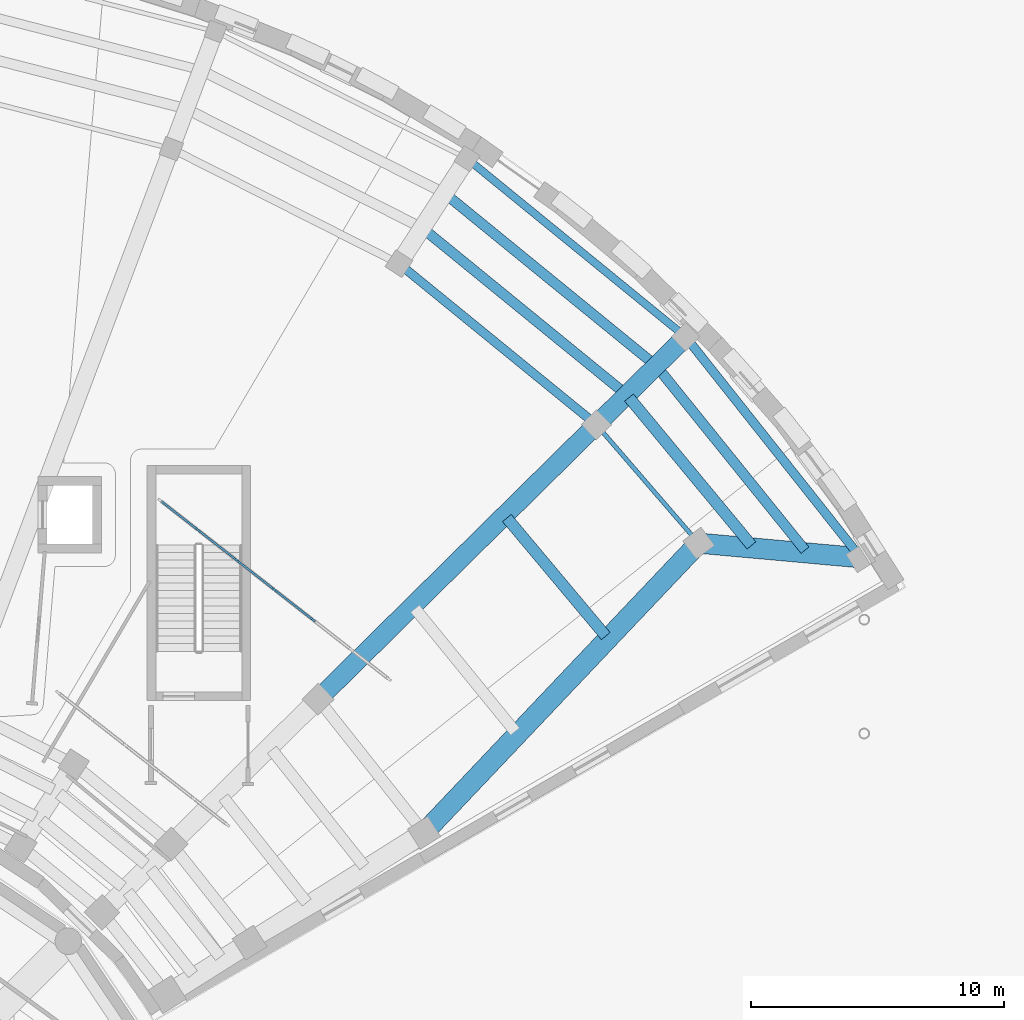
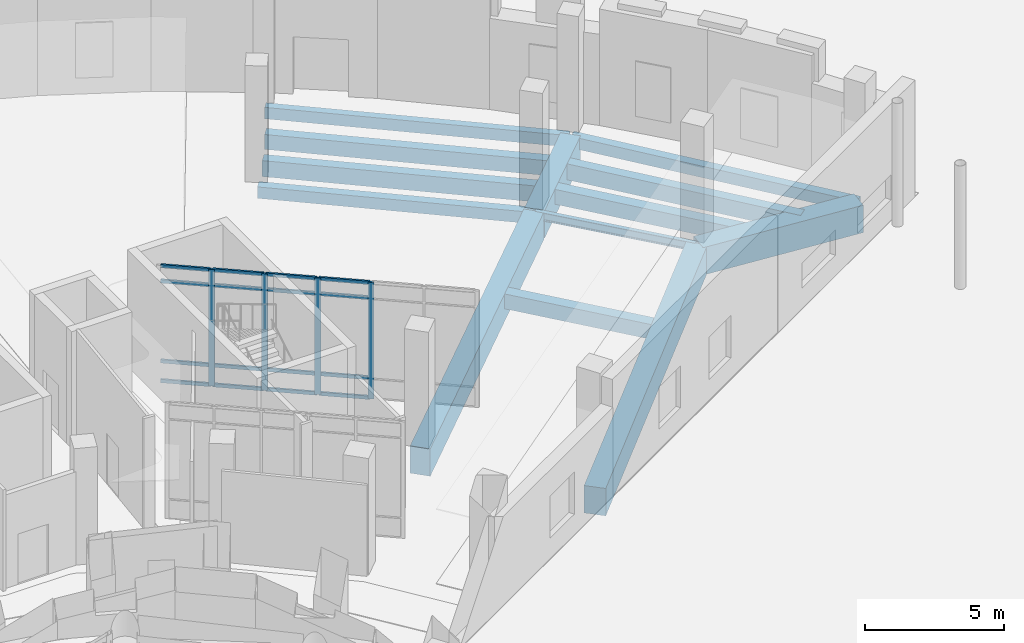
# One storey, part 28 of 74: 20 members, 13 beams, 1 element without a shape of its own.
"""IFC4 building model written with IfcOpenShell, lengths in metres."""

from ifc_helpers import new_model, si_unit, direction, frame, origin, origin_2d, place, context, subcontext, project, spatial, rectangle, i_section, extrude, material, material_profile, profile_set, type_object, element, aggregate, save


model = new_model("IFC4")

# Units and contexts
model_context = context("Model", 3, precision=1e-05, world=origin(), true_north=direction((0.0, 1.0)))
body_context = subcontext(model_context, "Body", "Model", "MODEL_VIEW")
ifc_project = project(units=[si_unit("LENGTHUNIT", "METRE"), si_unit("AREAUNIT", "SQUARE_METRE"), si_unit("VOLUMEUNIT", "CUBIC_METRE"), si_unit("PLANEANGLEUNIT", "RADIAN"), si_unit("MASSUNIT", "GRAM", prefix="KILO")], contexts=[model_context])

# Site, building, storey
site_placement = place(None, origin())
site = spatial("IfcSite", under=ifc_project, at=site_placement, CompositionType="ELEMENT")
building_placement = place(site_placement, origin())
building = spatial("IfcBuilding", under=site, at=building_placement, Name="Soyqirgoq Riverine Aquarium", CompositionType="ELEMENT")
storey_placement = place(building_placement, origin())
storey = spatial("IfcBuildingStorey", under=building, at=storey_placement, Name="L01", CompositionType="ELEMENT", Elevation=0.0)

# Beams
ifc_material_1 = material(Name="Concrete C40/50", Category="concrete")
ifc_material_profile_1 = material_profile(ifc_material_1, rectangle(XDim=0.39990234375, YDim=0.64990234375, at=origin_2d()), Name="RC 400x650")
ifc_profile_set_1 = profile_set([ifc_material_profile_1], Name="Concrete C40/50")
beam_type_1 = type_object("IfcBeamType", Name="Beam_RC_400x650", PredefinedType="BEAM", material=ifc_profile_set_1)
beam_1_placement = place(storey_placement, frame((91.468994140625, 92.172607421875, -0.675048828125), z_axis=(-0.774945538771, 0.632028015153, 0.0), x_axis=(-0.632028015153, -0.774945538771, 0.0)))
element("IfcBeam", 1, at=beam_1_placement, inside=storey, type_object=beam_type_1, Name="V5 L01 Secondary Floor Joist 0789", PredefinedType="BEAM", context=body_context, shape_type="SweptSolid", body=[
    extrude(rectangle(XDim=0.39990234375, YDim=0.64990234375, at=origin_2d()), origin(), (0.0, 0.0, 1.0), 10.5126953125),
])
ifc_material_2 = material(Name="Concrete C40/50", Category="concrete")
ifc_material_profile_2 = material_profile(ifc_material_2, rectangle(XDim=0.39990234375, YDim=0.699951171875, at=origin_2d()), Name="RC 400x700")
ifc_profile_set_2 = profile_set([ifc_material_profile_2], Name="Concrete C40/50")
beam_type_2 = type_object("IfcBeamType", Name="Beam_RC_400x700", PredefinedType="BEAM", material=ifc_profile_set_2)
beam_2_placement = place(storey_placement, frame((97.461181640625, 84.796142578125, -0.699951171875), z_axis=(-0.628173876328, 0.778072992141, 0.0), x_axis=(-0.778072992141, -0.628173876328, 0.0)))
element("IfcBeam", 2, at=beam_2_placement, inside=storey, type_object=beam_type_2, Name="V5 L01 Secondary Floor Joist 0787", PredefinedType="BEAM", context=body_context, shape_type="SweptSolid", body=[
    extrude(rectangle(XDim=0.39990234375, YDim=0.699951171875, at=origin_2d()), origin(), (0.0, 0.0, 1.0), 9.2265625),
])
beam_3_placement = place(storey_placement, frame((90.305908203125, 91.025634765625, -0.699951171875), z_axis=(-0.774940282325, 0.63203446016, 0.0), x_axis=(-0.63203446016, -0.774940282325, 0.0)))
element("IfcBeam", 3, at=beam_3_placement, inside=storey, type_object=beam_type_2, Name="V5 L01 Secondary Floor Joist 0788", PredefinedType="BEAM", context=body_context, shape_type="SweptSolid", body=[
    extrude(rectangle(XDim=0.39990234375, YDim=0.699951171875, at=origin_2d()), origin(), (0.0, 0.0, 1.0), 10.159912109375),
])
ifc_material_3 = material(Name="Concrete C40/50", Category="concrete")
ifc_material_profile_3 = material_profile(ifc_material_3, rectangle(XDim=0.449951171875, YDim=0.64990234375, at=origin_2d()), Name="RC 450x650")
ifc_profile_set_3 = profile_set([ifc_material_profile_3], Name="Concrete C40/50")
beam_type_3 = type_object("IfcBeamType", Name="Beam_RC_450x650", PredefinedType="BEAM", material=ifc_profile_set_3)
beam_4_placement = place(storey_placement, frame((89.584228515625, 81.40380859375, -0.675048828125), z_axis=(-0.642269554069, 0.766478845055, 0.0), x_axis=(-0.766478845055, -0.642269554069, 0.0)))
element("IfcBeam", 4, at=beam_4_placement, inside=storey, type_object=beam_type_3, Name="V5 L01 Secondary Floor Joist 0781", PredefinedType="BEAM", context=body_context, shape_type="SweptSolid", body=[
    extrude(rectangle(XDim=0.449951171875, YDim=0.64990234375, at=origin_2d()), origin(), (0.0, 0.0, 1.0), 6.08544921875),
])
beam_5_placement = place(storey_placement, frame((95.345458984375, 84.98583984375, -0.675048828125), z_axis=(-0.638020589805, 0.770019302995, 0.0), x_axis=(-0.770019302995, -0.638020589805, 0.0)))
element("IfcBeam", 5, at=beam_5_placement, inside=storey, type_object=beam_type_3, Name="V5 L01 Secondary Floor Joist 0786", PredefinedType="BEAM", context=body_context, shape_type="SweptSolid", body=[
    extrude(rectangle(XDim=0.449951171875, YDim=0.64990234375, at=origin_2d()), origin(), (0.0, 0.0, 1.0), 7.5888671875),
])

# Curtain wall, members
ifc_material_4 = material(Name="Cast polymethyl methacrylate PMMA Habitat Viewing Glazing", Category="glass")
curtain_wall_type = type_object("IfcCurtainWallType", Name="CW_Interior_TankVitrine", PredefinedType="NOTDEFINED", material=ifc_material_4)
curtain_wall_placement = place(storey_placement, origin())
curtain_wall = element("IfcCurtainWall", 6, at=curtain_wall_placement, inside=storey, type_object=curtain_wall_type, Name="V5 L01 Curtain Wall 158", PredefinedType="NOTDEFINED")
ifc_material_5 = material(Name="Anodised aluminium 6063-T6", Category="aluminium")
ifc_material_profile_4 = material_profile(ifc_material_5, rectangle(XDim=0.080078125, YDim=0.219970703125, at=origin_2d()), Name="ALU-M 80x220")
ifc_profile_set_4 = profile_set([ifc_material_profile_4], Name="Anodised aluminium 6063-T6")
member_type_1 = type_object("IfcMemberType", Name="CWMullion_80x220", PredefinedType="MULLION", material=ifc_profile_set_4)
member_1_placement = place(storey_placement, frame((78.008544921875, 82.046142578125, 0.0), z_axis=(0.0, 0.0, 1.0), x_axis=(-0.615655141832, -0.788015701833, 0.0)))
member_1 = element("IfcMember", 7, at=member_1_placement, type_object=member_type_1, Name="CW-07 mullion 3", PredefinedType="MULLION", context=body_context, shape_type="SweptSolid", body=[
    extrude(rectangle(XDim=0.080078125, YDim=0.219970703125, at=origin_2d()), origin(), (0.0, 0.0, 1.0), 5.10009765625),
])
member_2_placement = place(storey_placement, frame((76.4931640625, 83.22998046875, 0.0), z_axis=(0.0, 0.0, 1.0), x_axis=(-0.615655141832, -0.788015701833, 0.0)))
member_2 = element("IfcMember", 8, at=member_2_placement, type_object=member_type_1, Name="CW-07 mullion 4", PredefinedType="MULLION", context=body_context, shape_type="SweptSolid", body=[
    extrude(rectangle(XDim=0.080078125, YDim=0.219970703125, at=origin_2d()), origin(), (0.0, 0.0, 1.0), 5.10009765625),
])
member_3_placement = place(storey_placement, frame((74.977783203125, 84.4140625, 0.0), z_axis=(0.0, 0.0, 1.0), x_axis=(-0.615655141832, -0.788015701833, 0.0)))
member_3 = element("IfcMember", 9, at=member_3_placement, type_object=member_type_1, Name="CW-07 mullion 5", PredefinedType="MULLION", context=body_context, shape_type="SweptSolid", body=[
    extrude(rectangle(XDim=0.080078125, YDim=0.219970703125, at=origin_2d()), origin(), (0.0, 0.0, 1.0), 5.10009765625),
])
member_4_placement = place(storey_placement, frame((73.46240234375, 85.59814453125, 0.0), z_axis=(0.0, 0.0, 1.0), x_axis=(-0.615655141832, -0.788015701833, 0.0)))
member_4 = element("IfcMember", 10, at=member_4_placement, type_object=member_type_1, Name="CW-07 mullion 6", PredefinedType="MULLION", context=body_context, shape_type="SweptSolid", body=[
    extrude(rectangle(XDim=0.080078125, YDim=0.219970703125, at=origin_2d()), origin(), (0.0, 0.0, 1.0), 5.10009765625),
])
ifc_material_6 = material(Name="Anodised aluminium 6063-T6", Category="aluminium")
ifc_material_profile_5 = material_profile(ifc_material_6, rectangle(XDim=0.074951171875, YDim=0.14990234375, at=origin_2d()), Name="ALU-T 75x150")
ifc_profile_set_5 = profile_set([ifc_material_profile_5], Name="Anodised aluminium 6063-T6")
member_type_2 = type_object("IfcMemberType", Name="CWTransom_75x150", PredefinedType="USERDEFINED", material=ifc_profile_set_5)
member_5_placement = place(storey_placement, frame((77.97705078125, 82.07080078125, 0.03759765625), z_axis=(-0.788002283226, 0.615672316765, 0.0), x_axis=(-0.615672316765, -0.788002283226, 0.0)))
member_5 = element("IfcMember", 11, at=member_5_placement, type_object=member_type_2, Name="CW-07 transom 3.1", ObjectType="TRANSOM", PredefinedType="USERDEFINED", context=body_context, shape_type="SweptSolid", body=[
    extrude(rectangle(XDim=0.074951171875, YDim=0.14990234375, at=origin_2d()), origin(), (0.0, 0.0, 1.0), 1.843017578125),
])
member_6_placement = place(storey_placement, frame((77.97705078125, 82.07080078125, 0.89990234375), z_axis=(-0.788002283226, 0.615672316765, 0.0), x_axis=(-0.615672316765, -0.788002283226, 0.0)))
member_6 = element("IfcMember", 12, at=member_6_placement, type_object=member_type_2, Name="CW-07 transom 3.2", ObjectType="TRANSOM", PredefinedType="USERDEFINED", context=body_context, shape_type="SweptSolid", body=[
    extrude(rectangle(XDim=0.074951171875, YDim=0.14990234375, at=origin_2d()), origin(), (0.0, 0.0, 1.0), 1.843017578125),
])
member_7_placement = place(storey_placement, frame((77.97705078125, 82.07080078125, 4.39990234375), z_axis=(-0.788002283226, 0.615672316765, 0.0), x_axis=(-0.615672316765, -0.788002283226, 0.0)))
member_7 = element("IfcMember", 13, at=member_7_placement, type_object=member_type_2, Name="CW-07 transom 3.3", ObjectType="TRANSOM", PredefinedType="USERDEFINED", context=body_context, shape_type="SweptSolid", body=[
    extrude(rectangle(XDim=0.074951171875, YDim=0.14990234375, at=origin_2d()), origin(), (0.0, 0.0, 1.0), 1.843017578125),
])
member_8_placement = place(storey_placement, frame((77.97705078125, 82.07080078125, 5.0625), z_axis=(-0.788002283226, 0.615672316765, 0.0), x_axis=(-0.615672316765, -0.788002283226, 0.0)))
member_8 = element("IfcMember", 14, at=member_8_placement, type_object=member_type_2, Name="CW-07 transom 3.4", ObjectType="TRANSOM", PredefinedType="USERDEFINED", context=body_context, shape_type="SweptSolid", body=[
    extrude(rectangle(XDim=0.074951171875, YDim=0.14990234375, at=origin_2d()), origin(), (0.0, 0.0, 1.0), 1.843017578125),
])
member_9_placement = place(storey_placement, frame((76.461669921875, 83.254638671875, 0.03759765625), z_axis=(-0.788002283226, 0.615672316765, 0.0), x_axis=(-0.615672316765, -0.788002283226, 0.0)))
member_9 = element("IfcMember", 15, at=member_9_placement, type_object=member_type_2, Name="CW-07 transom 4.1", ObjectType="TRANSOM", PredefinedType="USERDEFINED", context=body_context, shape_type="SweptSolid", body=[
    extrude(rectangle(XDim=0.074951171875, YDim=0.14990234375, at=origin_2d()), origin(), (0.0, 0.0, 1.0), 1.843017578125),
])
member_10_placement = place(storey_placement, frame((76.461669921875, 83.254638671875, 0.89990234375), z_axis=(-0.788002283226, 0.615672316765, 0.0), x_axis=(-0.615672316765, -0.788002283226, 0.0)))
member_10 = element("IfcMember", 16, at=member_10_placement, type_object=member_type_2, Name="CW-07 transom 4.2", ObjectType="TRANSOM", PredefinedType="USERDEFINED", context=body_context, shape_type="SweptSolid", body=[
    extrude(rectangle(XDim=0.074951171875, YDim=0.14990234375, at=origin_2d()), origin(), (0.0, 0.0, 1.0), 1.843017578125),
])
member_11_placement = place(storey_placement, frame((76.461669921875, 83.254638671875, 4.39990234375), z_axis=(-0.788002283226, 0.615672316765, 0.0), x_axis=(-0.615672316765, -0.788002283226, 0.0)))
member_11 = element("IfcMember", 17, at=member_11_placement, type_object=member_type_2, Name="CW-07 transom 4.3", ObjectType="TRANSOM", PredefinedType="USERDEFINED", context=body_context, shape_type="SweptSolid", body=[
    extrude(rectangle(XDim=0.074951171875, YDim=0.14990234375, at=origin_2d()), origin(), (0.0, 0.0, 1.0), 1.843017578125),
])
member_12_placement = place(storey_placement, frame((76.461669921875, 83.254638671875, 5.0625), z_axis=(-0.788002283226, 0.615672316765, 0.0), x_axis=(-0.615672316765, -0.788002283226, 0.0)))
member_12 = element("IfcMember", 18, at=member_12_placement, type_object=member_type_2, Name="CW-07 transom 4.4", ObjectType="TRANSOM", PredefinedType="USERDEFINED", context=body_context, shape_type="SweptSolid", body=[
    extrude(rectangle(XDim=0.074951171875, YDim=0.14990234375, at=origin_2d()), origin(), (0.0, 0.0, 1.0), 1.843017578125),
])
member_13_placement = place(storey_placement, frame((74.9462890625, 84.438720703125, 0.03759765625), z_axis=(-0.788002283226, 0.615672316765, 0.0), x_axis=(-0.615672316765, -0.788002283226, 0.0)))
member_13 = element("IfcMember", 19, at=member_13_placement, type_object=member_type_2, Name="CW-07 transom 5.1", ObjectType="TRANSOM", PredefinedType="USERDEFINED", context=body_context, shape_type="SweptSolid", body=[
    extrude(rectangle(XDim=0.074951171875, YDim=0.14990234375, at=origin_2d()), origin(), (0.0, 0.0, 1.0), 1.843017578125),
])
member_14_placement = place(storey_placement, frame((74.9462890625, 84.438720703125, 0.89990234375), z_axis=(-0.788002283226, 0.615672316765, 0.0), x_axis=(-0.615672316765, -0.788002283226, 0.0)))
member_14 = element("IfcMember", 20, at=member_14_placement, type_object=member_type_2, Name="CW-07 transom 5.2", ObjectType="TRANSOM", PredefinedType="USERDEFINED", context=body_context, shape_type="SweptSolid", body=[
    extrude(rectangle(XDim=0.074951171875, YDim=0.14990234375, at=origin_2d()), origin(), (0.0, 0.0, 1.0), 1.843017578125),
])
member_15_placement = place(storey_placement, frame((74.9462890625, 84.438720703125, 4.39990234375), z_axis=(-0.788002283226, 0.615672316765, 0.0), x_axis=(-0.615672316765, -0.788002283226, 0.0)))
member_15 = element("IfcMember", 21, at=member_15_placement, type_object=member_type_2, Name="CW-07 transom 5.3", ObjectType="TRANSOM", PredefinedType="USERDEFINED", context=body_context, shape_type="SweptSolid", body=[
    extrude(rectangle(XDim=0.074951171875, YDim=0.14990234375, at=origin_2d()), origin(), (0.0, 0.0, 1.0), 1.843017578125),
])
member_16_placement = place(storey_placement, frame((74.9462890625, 84.438720703125, 5.0625), z_axis=(-0.788002283226, 0.615672316765, 0.0), x_axis=(-0.615672316765, -0.788002283226, 0.0)))
member_16 = element("IfcMember", 22, at=member_16_placement, type_object=member_type_2, Name="CW-07 transom 5.4", ObjectType="TRANSOM", PredefinedType="USERDEFINED", context=body_context, shape_type="SweptSolid", body=[
    extrude(rectangle(XDim=0.074951171875, YDim=0.14990234375, at=origin_2d()), origin(), (0.0, 0.0, 1.0), 1.843017578125),
])
member_17_placement = place(storey_placement, frame((73.430908203125, 85.62255859375, 0.03759765625), z_axis=(-0.788016162741, 0.615654551887, 0.0), x_axis=(-0.615654551887, -0.788016162741, 0.0)))
member_17 = element("IfcMember", 23, at=member_17_placement, type_object=member_type_2, Name="CW-07 transom 6.1", ObjectType="TRANSOM", PredefinedType="USERDEFINED", context=body_context, shape_type="SweptSolid", body=[
    extrude(rectangle(XDim=0.074951171875, YDim=0.14990234375, at=origin_2d()), origin(), (0.0, 0.0, 1.0), 1.80322265625),
])
member_18_placement = place(storey_placement, frame((73.430908203125, 85.62255859375, 0.89990234375), z_axis=(-0.788016162741, 0.615654551887, 0.0), x_axis=(-0.615654551887, -0.788016162741, 0.0)))
member_18 = element("IfcMember", 24, at=member_18_placement, type_object=member_type_2, Name="CW-07 transom 6.2", ObjectType="TRANSOM", PredefinedType="USERDEFINED", context=body_context, shape_type="SweptSolid", body=[
    extrude(rectangle(XDim=0.074951171875, YDim=0.14990234375, at=origin_2d()), origin(), (0.0, 0.0, 1.0), 1.80322265625),
])
member_19_placement = place(storey_placement, frame((73.430908203125, 85.62255859375, 4.39990234375), z_axis=(-0.788016162741, 0.615654551887, 0.0), x_axis=(-0.615654551887, -0.788016162741, 0.0)))
member_19 = element("IfcMember", 25, at=member_19_placement, type_object=member_type_2, Name="CW-07 transom 6.3", ObjectType="TRANSOM", PredefinedType="USERDEFINED", context=body_context, shape_type="SweptSolid", body=[
    extrude(rectangle(XDim=0.074951171875, YDim=0.14990234375, at=origin_2d()), origin(), (0.0, 0.0, 1.0), 1.80322265625),
])
member_20_placement = place(storey_placement, frame((73.430908203125, 85.62255859375, 5.0625), z_axis=(-0.788016162741, 0.615654551887, 0.0), x_axis=(-0.615654551887, -0.788016162741, 0.0)))
member_20 = element("IfcMember", 26, at=member_20_placement, type_object=member_type_2, Name="CW-07 transom 6.4", ObjectType="TRANSOM", PredefinedType="USERDEFINED", context=body_context, shape_type="SweptSolid", body=[
    extrude(rectangle(XDim=0.074951171875, YDim=0.14990234375, at=origin_2d()), origin(), (0.0, 0.0, 1.0), 1.80322265625),
])
aggregate(curtain_wall, [member_1, member_2, member_3, member_4, member_5, member_6, member_7, member_8, member_9, member_10, member_11, member_12, member_13, member_14, member_15, member_16, member_17, member_18, member_19, member_20])

# Beams
ifc_material_7 = material(Name="Concrete C40/50", Category="concrete")
ifc_material_profile_6 = material_profile(ifc_material_7, rectangle(XDim=0.75, YDim=1.199951171875, at=origin_2d()), Name="RC 750x1200")
ifc_profile_set_6 = profile_set([ifc_material_profile_6], Name="Concrete C40/50")
beam_type_4 = type_object("IfcBeamType", Name="Girder_RC_750x1200", PredefinedType="BEAM", material=ifc_profile_set_6)
beam_6_placement = place(storey_placement, frame((78.250732421875, 78.9423828125, -0.949951171875), z_axis=(0.712035941115, 0.702143018595, 0.0), x_axis=(-0.702143018595, 0.712035941115, 0.0)))
element("IfcBeam", 27, at=beam_6_placement, inside=storey, type_object=beam_type_4, Name="V5 L01 Wedge Radial Girder 0752", PredefinedType="BEAM", context=body_context, shape_type="SweptSolid", body=[
    extrude(rectangle(XDim=0.75, YDim=1.199951171875, at=origin_2d()), origin(), (0.0, 0.0, 1.0), 15.349853515625),
])
beam_7_placement = place(storey_placement, frame((89.251708984375, 89.79052734375, -0.949951171875), z_axis=(0.711997820569, 0.702181674145, 0.0), x_axis=(-0.702181674145, 0.711997820569, 0.0)))
element("IfcBeam", 28, at=beam_7_placement, inside=storey, type_object=beam_type_4, Name="V5 L01 Wedge Radial Girder 0753", PredefinedType="BEAM", context=body_context, shape_type="SweptSolid", body=[
    extrude(rectangle(XDim=0.75, YDim=1.199951171875, at=origin_2d()), origin(), (0.0, 0.0, 1.0), 4.849853515625),
])
ifc_material_8 = material(Name="Concrete C40/50", Category="concrete")
ifc_material_profile_7 = material_profile(ifc_material_8, rectangle(XDim=0.800048828125, YDim=1.199951171875, at=origin_2d()), Name="RC 800x1200")
ifc_profile_set_7 = profile_set([ifc_material_profile_7], Name="Concrete C40/50")
beam_type_5 = type_object("IfcBeamType", Name="Girder_RC_800x1200", PredefinedType="BEAM", material=ifc_profile_set_7)
beam_8_placement = place(storey_placement, frame((82.435546875, 73.662109375, -0.949951171875), z_axis=(0.688043937809, 0.725669028996, 0.0), x_axis=(-0.725669028996, 0.688043937809, 0.0)))
element("IfcBeam", 29, at=beam_8_placement, inside=storey, type_object=beam_type_5, Name="V5 L01 Wedge Radial Girder 0748", PredefinedType="BEAM", context=body_context, shape_type="SweptSolid", body=[
    extrude(rectangle(XDim=0.800048828125, YDim=1.199951171875, at=origin_2d()), origin(), (0.0, 0.0, 1.0), 15.6767578125),
])
beam_9_placement = place(storey_placement, frame((93.30615234375, 85.0703125, -0.949951171875), z_axis=(0.99595114055, -0.089896193674, 0.0), x_axis=(0.089896193674, 0.99595114055, 0.0)))
element("IfcBeam", 30, at=beam_9_placement, inside=storey, type_object=beam_type_5, Name="V5 L01 Wedge Radial Girder 0749", PredefinedType="BEAM", context=body_context, shape_type="SweptSolid", body=[
    extrude(rectangle(XDim=0.800048828125, YDim=1.199951171875, at=origin_2d()), origin(), (0.0, 0.0, 1.0), 6.333251953125),
])
ifc_material_9 = material(Name="Concrete C40/50", Category="concrete")
ifc_material_profile_8 = material_profile(ifc_material_9, rectangle(XDim=0.300048828125, YDim=0.5, at=origin_2d()), Name="RC 300x500")
ifc_profile_set_8 = profile_set([ifc_material_profile_8], Name="Concrete C40/50")
beam_type_6 = type_object("IfcBeamType", Name="Spandrel_RC_300x500", PredefinedType="SPANDREL", material=ifc_profile_set_8)
beam_10_placement = place(storey_placement, frame((92.701904296875, 93.2626953125, -0.60009765625), z_axis=(-0.774945071602, 0.63202858796, 0.0), x_axis=(-0.63202858796, -0.774945071602, 0.0)))
element("IfcBeam", 31, at=beam_10_placement, inside=storey, type_object=beam_type_6, Name="V5 L01 Wedge Chord Beam 0795", PredefinedType="SPANDREL", context=body_context, shape_type="SweptSolid", body=[
    extrude(rectangle(XDim=0.300048828125, YDim=0.5, at=origin_2d()), origin(), (0.0, 0.0, 1.0), 11.045654296875),
])
ifc_material_10 = material(Name="Concrete C40/50", Category="concrete")
ifc_material_profile_9 = material_profile(ifc_material_10, rectangle(XDim=0.35009765625, YDim=0.5, at=origin_2d()), Name="RC 350x500")
ifc_profile_set_9 = profile_set([ifc_material_profile_9], Name="Concrete C40/50")
beam_type_7 = type_object("IfcBeamType", Name="Spandrel_RC_350x500", PredefinedType="SPANDREL", material=ifc_profile_set_9)
beam_11_placement = place(storey_placement, frame((89.17724609375, 89.787109375, -0.60009765625), z_axis=(-0.774956174889, 0.632014973716, 0.0), x_axis=(-0.632014973716, -0.774956174889, 0.0)))
element("IfcBeam", 32, at=beam_11_placement, inside=storey, type_object=beam_type_7, Name="V5 L01 Wedge Chord Beam 0783", PredefinedType="SPANDREL", context=body_context, shape_type="SweptSolid", body=[
    extrude(rectangle(XDim=0.35009765625, YDim=0.5, at=origin_2d()), origin(), (0.0, 0.0, 1.0), 9.976318359375),
])
beam_12_placement = place(storey_placement, frame((99.632568359375, 84.53564453125, -0.60009765625), z_axis=(-0.621160278582, 0.78368355113, 0.0), x_axis=(-0.78368355113, -0.621160278582, 0.0)))
element("IfcBeam", 33, at=beam_12_placement, inside=storey, type_object=beam_type_7, Name="V5 L01 Wedge Chord Beam 0794", PredefinedType="SPANDREL", context=body_context, shape_type="SweptSolid", body=[
    extrude(rectangle(XDim=0.35009765625, YDim=0.5, at=origin_2d()), origin(), (0.0, 0.0, 1.0), 11.045654296875),
])
ifc_material_11 = material(Name="Structural steel S355", Category="steel")
ifc_material_profile_10 = material_profile(ifc_material_11, i_section(OverallWidth=0.169921875, OverallDepth=0.360107421875, WebThickness=0.008056640625, FlangeThickness=0.0126953125, FilletRadius=0.01806640625, at=origin_2d()), Name="IPE 360")
ifc_profile_set_10 = profile_set([ifc_material_profile_10], Name="Structural steel S355")
beam_type_8 = type_object("IfcBeamType", Name="Spandrel_Steel_IPE360", PredefinedType="SPANDREL", material=ifc_profile_set_10)
beam_13_placement = place(storey_placement, frame((93.2236328125, 85.112548828125, -0.530029296875), z_axis=(-0.653415046346, 0.756999852846, 0.0), x_axis=(-0.756999852846, -0.653415046346, 0.0)))
element("IfcBeam", 34, at=beam_13_placement, inside=storey, type_object=beam_type_8, Name="V5 L01 Wedge Chord Beam 0782", PredefinedType="SPANDREL", context=body_context, shape_type="SweptSolid", body=[
    extrude(i_section(OverallWidth=0.169921875, OverallDepth=0.360107421875, WebThickness=0.008056640625, FlangeThickness=0.0126953125, FilletRadius=0.01806640625, at=origin_2d()), origin(), (0.0, 0.0, 1.0), 6.083251953125),
])

save(model, "model.ifc")
